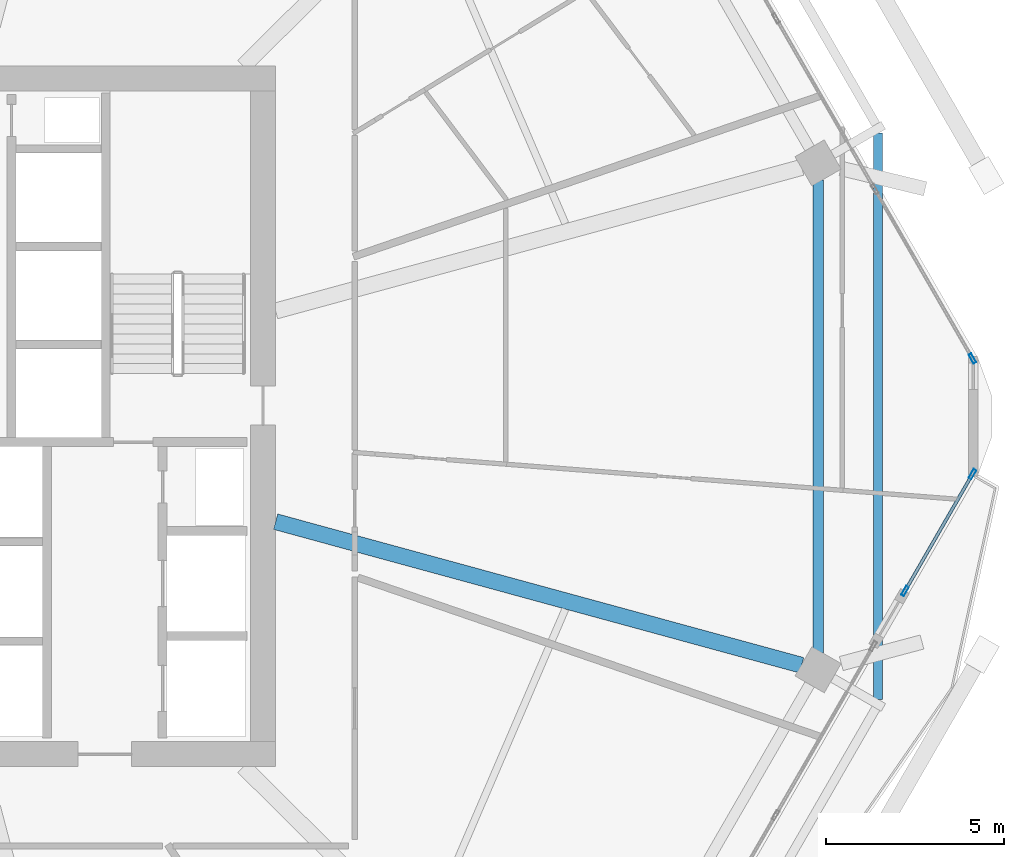
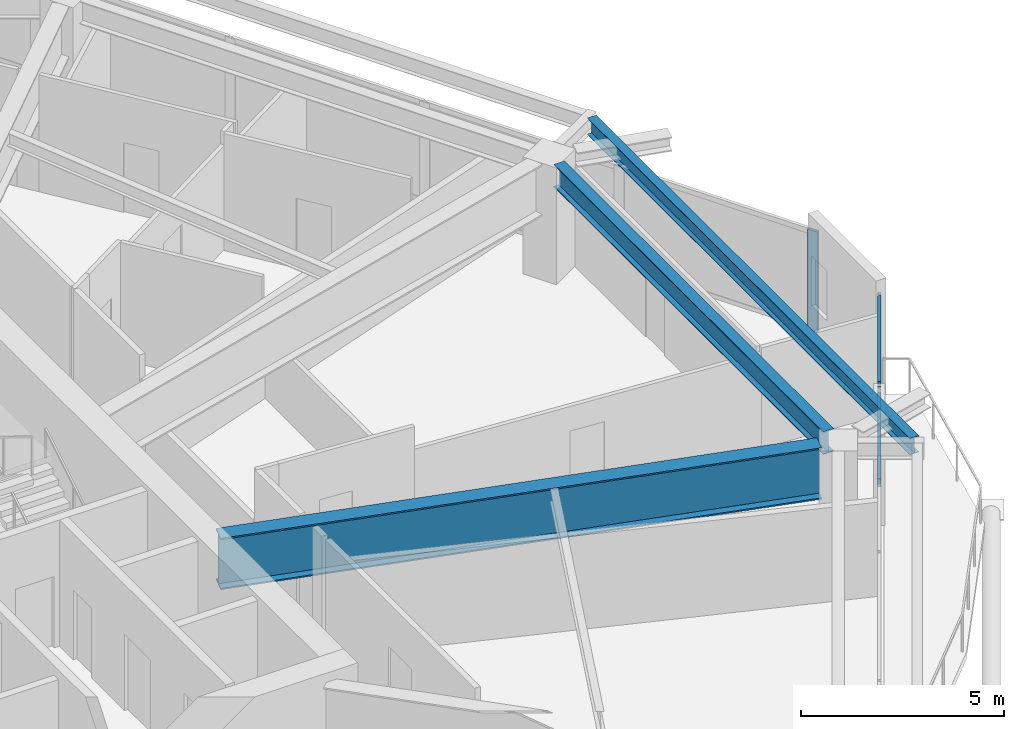
# One storey, part 11 of 28: 5 members, 3 beams, 2 elements without a shape of their own.
"""IFC4 building model written with IfcOpenShell, lengths in metres."""

from ifc_helpers import new_model, si_unit, direction, frame, origin, origin_2d, place, context, subcontext, project, spatial, hollow_rectangle, i_section, extrude, material, material_profile, profile_set, type_object, element, aggregate, save


model = new_model("IFC4")

# Units and contexts
model_context = context("Model", 3, precision=1e-05, world=origin(), true_north=direction((0.0, 1.0)))
body_context = subcontext(model_context, "Body", "Model", "MODEL_VIEW")
ifc_project = project(units=[si_unit("LENGTHUNIT", "METRE"), si_unit("AREAUNIT", "SQUARE_METRE"), si_unit("VOLUMEUNIT", "CUBIC_METRE"), si_unit("PLANEANGLEUNIT", "RADIAN"), si_unit("MASSUNIT", "GRAM", prefix="KILO")], contexts=[model_context])

# Site, building, storey
site_placement = place(None, origin())
site = spatial("IfcSite", under=ifc_project, at=site_placement, CompositionType="ELEMENT")
building_placement = place(site_placement, origin())
building = spatial("IfcBuilding", under=site, at=building_placement, Name="Zuhravey Tower", CompositionType="ELEMENT")
storey_placement = place(building_placement, frame((0.0, 0.0, 222.60009765625)))
storey = spatial("IfcBuildingStorey", under=building, at=storey_placement, Name="L56", CompositionType="ELEMENT", Elevation=222.60009765625)

# Curtain wall, members
ifc_material_1 = material(Name="Thermally broken anodised aluminium", Category="aluminium")
curtain_wall_type = type_object("IfcCurtainWallType", Name="Zone 1-2 Residential Curtain Wall CW3", PredefinedType="NOTDEFINED", material=ifc_material_1)
curtain_wall_1_placement = place(storey_placement, origin())
curtain_wall_1 = element("IfcCurtainWall", 1, at=curtain_wall_1_placement, inside=storey, type_object=curtain_wall_type, Name="L56 CW3 CW-L56-F6-1", PredefinedType="NOTDEFINED")
ifc_material_2 = material(Name="Anodised aluminium", Category="aluminium")
ifc_material_profile_1 = material_profile(ifc_material_2, hollow_rectangle(XDim=0.090087890625, YDim=0.284912109375, WallThickness=0.0048828125, at=origin_2d()), Name="ALU-RHS-90x285x5")
ifc_profile_set_1 = profile_set([ifc_material_profile_1], Name="Anodised aluminium")
member_type_1 = type_object("IfcMemberType", Name="Curtain-Wall Mullion 90x180", PredefinedType="MULLION", material=ifc_profile_set_1)
member_1_placement = place(storey_placement, frame((66.44921875, 30.37353515625, 0.0), z_axis=(0.0, 0.0, 1.0), x_axis=(0.866017945504, -0.500012917899, 0.0)))
member_1 = element("IfcMember", 2, at=member_1_placement, type_object=member_type_1, Name="CW3 mullion 1", PredefinedType="MULLION", context=body_context, shape_type="SweptSolid", body=[
    extrude(hollow_rectangle(XDim=0.090087890625, YDim=0.284912109375, WallThickness=0.0048828125, at=origin_2d()), origin(), (0.0, 0.0, 1.0), 3.02001953125),
])
member_2_placement = place(storey_placement, frame((64.55224609375, 27.087890625, 0.0), z_axis=(0.0, 0.0, 1.0), x_axis=(0.866017945504, -0.500012917899, 0.0)))
member_2 = element("IfcMember", 3, at=member_2_placement, type_object=member_type_1, Name="CW3 mullion 2", PredefinedType="MULLION", context=body_context, shape_type="SweptSolid", body=[
    extrude(hollow_rectangle(XDim=0.090087890625, YDim=0.284912109375, WallThickness=0.0048828125, at=origin_2d()), origin(), (0.0, 0.0, 1.0), 3.02001953125),
])

# Curtain wall, member
curtain_wall_2_placement = place(storey_placement, origin())
curtain_wall_2 = element("IfcCurtainWall", 4, at=curtain_wall_2_placement, inside=storey, type_object=curtain_wall_type, Name="L56 CW3 CW-L56-F1-1", PredefinedType="NOTDEFINED")
member_3_placement = place(storey_placement, frame((66.44921875, 33.62646484375, 0.0), z_axis=(0.0, 0.0, 1.0), x_axis=(0.866025138215, 0.500000459979, 0.0)))
member_3 = element("IfcMember", 5, at=member_3_placement, type_object=member_type_1, Name="CW3 mullion 6", PredefinedType="MULLION", context=body_context, shape_type="SweptSolid", body=[
    extrude(hollow_rectangle(XDim=0.090087890625, YDim=0.284912109375, WallThickness=0.0048828125, at=origin_2d()), origin(), (0.0, 0.0, 1.0), 3.02001953125),
])
aggregate(curtain_wall_2, [member_3])

# Member
ifc_material_profile_2 = material_profile(ifc_material_2, hollow_rectangle(XDim=0.090087890625, YDim=0.14990234375, WallThickness=0.0048828125, at=origin_2d()), Name="ALU-RHS-90x150x5")
ifc_profile_set_2 = profile_set([ifc_material_profile_2], Name="Anodised aluminium")
member_type_2 = type_object("IfcMemberType", Name="Curtain-Wall Transom 90x150", PredefinedType="USERDEFINED", material=ifc_profile_set_2)
member_4_placement = place(storey_placement, frame((66.4267578125, 30.33447265625, 0.044921875), z_axis=(-0.500009630384, -0.866019843608, 0.0), x_axis=(0.866019843608, -0.500009630384, 0.0)))
member_4 = element("IfcMember", 6, at=member_4_placement, type_object=member_type_2, Name="CW3 transom 1.1", ObjectType="TRANSOM", PredefinedType="USERDEFINED", context=body_context, shape_type="SweptSolid", body=[
    extrude(hollow_rectangle(XDim=0.090087890625, YDim=0.14990234375, WallThickness=0.0048828125, at=origin_2d()), origin(), (0.0, 0.0, 1.0), 3.7041015625),
])

member_5_placement = place(storey_placement, frame((66.4267578125, 30.33447265625, 2.974853515625), z_axis=(-0.500009630384, -0.866019843608, 0.0), x_axis=(0.866019843608, -0.500009630384, 0.0)))
member_5 = element("IfcMember", 7, at=member_5_placement, type_object=member_type_2, Name="CW3 transom 1.2", ObjectType="TRANSOM", PredefinedType="USERDEFINED", context=body_context, shape_type="SweptSolid", body=[
    extrude(hollow_rectangle(XDim=0.090087890625, YDim=0.14990234375, WallThickness=0.0048828125, at=origin_2d()), origin(), (0.0, 0.0, 1.0), 3.7041015625),
])

aggregate(curtain_wall_1, [member_1, member_2, member_4, member_5])

# Beams
ifc_material_3 = material(Name="Steel SM460", Category="steel")
ifc_material_profile_3 = material_profile(ifc_material_3, i_section(OverallWidth=0.449951171875, OverallDepth=1.550048828125, WebThickness=0.02587890625, FlangeThickness=0.0419921875, at=origin_2d()), Name="H-1550x450x26x42")
ifc_profile_set_3 = profile_set([ifc_material_profile_3], Name="Steel SM460")
beam_type_1 = type_object("IfcBeamType", Name="Heavy Setback Transfer Girder H1550x450", PredefinedType="BEAM", material=ifc_profile_set_3)
beam_1_placement = place(storey_placement, frame((46.85302734375, 29.03759765625, 2.744873046875), z_axis=(0.964701703464, -0.263345065139, 0.0), x_axis=(0.263345065139, 0.964701703464, 0.0)))
element("IfcBeam", 8, at=beam_1_placement, inside=storey, type_object=beam_type_1, Name="L56 TG3 BM-L56-RAD-12", PredefinedType="BEAM", context=body_context, shape_type="SweptSolid", body=[
    extrude(i_section(OverallWidth=0.449951171875, OverallDepth=1.550048828125, WebThickness=0.02587890625, FlangeThickness=0.0419921875, at=origin_2d()), origin(), (0.0, 0.0, 1.0), 15.334716796875),
])
ifc_material_4 = material(Name="Steel SM355", Category="steel")
ifc_material_profile_4 = material_profile(ifc_material_4, i_section(OverallWidth=0.300048828125, OverallDepth=0.679931640625, WebThickness=0.012939453125, FlangeThickness=0.02197265625, at=origin_2d()), Name="H-680x300x13x22")
ifc_profile_set_4 = profile_set([ifc_material_profile_4], Name="Steel SM355")
beam_type_2 = type_object("IfcBeamType", Name="Perimeter Ring Beam H680x300", PredefinedType="BEAM", material=ifc_profile_set_4)
beam_2_placement = place(storey_placement, frame((62.107666015625, 25.3515625, 3.179931640625), z_axis=(0.0, 1.0, 0.0), x_axis=(-1.0, 0.0, 0.0)))
element("IfcBeam", 9, at=beam_2_placement, inside=storey, type_object=beam_type_2, Name="L56 PB2 BM-L56-PB-12", PredefinedType="BEAM", context=body_context, shape_type="SweptSolid", body=[
    extrude(i_section(OverallWidth=0.300048828125, OverallDepth=0.679931640625, WebThickness=0.012939453125, FlangeThickness=0.02197265625, at=origin_2d()), origin(), (0.0, 0.0, 1.0), 13.296875),
])
ifc_material_profile_5 = material_profile(ifc_material_4, i_section(OverallWidth=0.25, OverallDepth=0.5, WebThickness=0.010009765625, FlangeThickness=0.01611328125, at=origin_2d()), Name="H-500x250x10x16")
ifc_profile_set_5 = profile_set([ifc_material_profile_5], Name="Steel SM355")
beam_type_3 = type_object("IfcBeamType", Name="Tray Cantilever Spandrel H500x250", PredefinedType="SPANDREL", material=ifc_profile_set_5)
beam_3_placement = place(storey_placement, frame((63.79638671875, 24.03857421875, 3.27001953125), z_axis=(0.0, 1.0, 0.0), x_axis=(-1.0, 0.0, 0.0)))
element("IfcBeam", 10, at=beam_3_placement, inside=storey, type_object=beam_type_3, Name="L56 Sky-Tray Edge Spandrel TSB1-12", PredefinedType="SPANDREL", context=body_context, shape_type="SweptSolid", body=[
    extrude(i_section(OverallWidth=0.25, OverallDepth=0.5, WebThickness=0.010009765625, FlangeThickness=0.01611328125, at=origin_2d()), origin(), (0.0, 0.0, 1.0), 15.9228515625),
])

save(model, "model.ifc")
